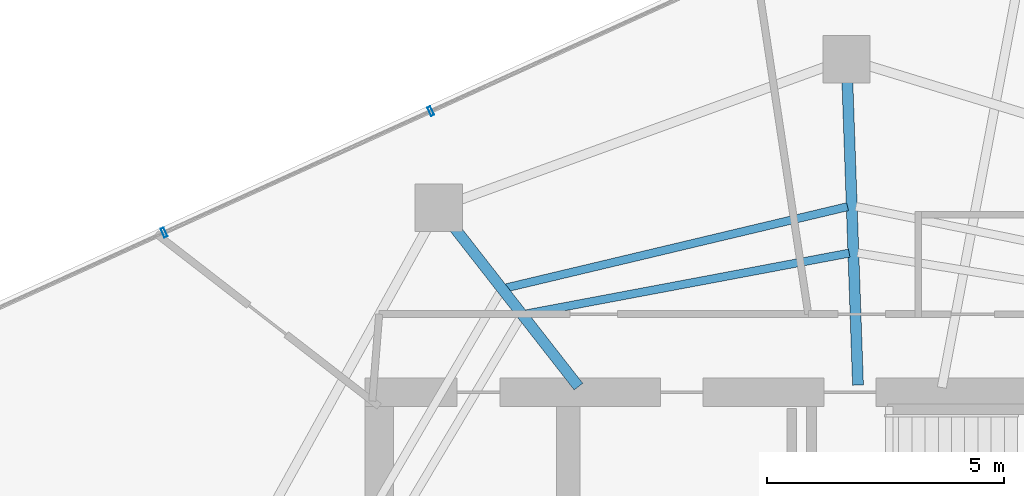
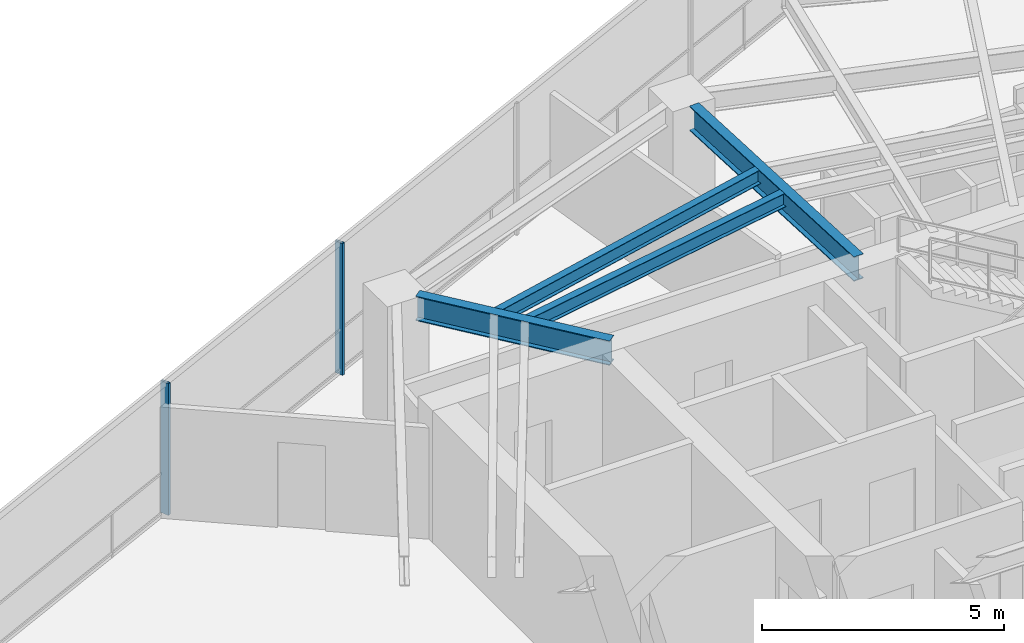
# One storey, part 12 of 21: 4 beams, 2 members, 1 element without a shape of its own.
"""IFC4 building model written with IfcOpenShell, lengths in metres."""

from ifc_helpers import new_model, si_unit, direction, frame, origin, origin_2d, place, context, subcontext, project, spatial, hollow_rectangle, i_section, extrude, material, layer, layer_set, material_profile, profile_set, type_object, element, aggregate, save


model = new_model("IFC4")

# Units and contexts
model_context = context("Model", 3, precision=1e-05, world=origin(), true_north=direction((0.0, 1.0)))
body_context = subcontext(model_context, "Body", "Model", "MODEL_VIEW")
ifc_project = project(units=[si_unit("LENGTHUNIT", "METRE"), si_unit("AREAUNIT", "SQUARE_METRE"), si_unit("VOLUMEUNIT", "CUBIC_METRE"), si_unit("PLANEANGLEUNIT", "RADIAN"), si_unit("MASSUNIT", "GRAM", prefix="KILO")], contexts=[model_context])

# Site, building, storey
site_placement = place(None, origin())
site = spatial("IfcSite", under=ifc_project, at=site_placement, CompositionType="ELEMENT")
building_placement = place(site_placement, origin())
building = spatial("IfcBuilding", under=site, at=building_placement, Name="Qarnah Convention Tower", CompositionType="ELEMENT")
storey_placement = place(building_placement, frame((0.0, 0.0, 158.10009765625)))
storey = spatial("IfcBuildingStorey", under=building, at=storey_placement, Name="L42", CompositionType="ELEMENT", Elevation=158.10009765625)

# Beams
ifc_material_1 = material(Name="Structural steel S355JR", Category="steel")
ifc_material_profile_1 = material_profile(ifc_material_1, i_section(OverallWidth=0.172119140625, OverallDepth=0.35595703125, WebThickness=0.007080078125, FlangeThickness=0.011962890625, at=origin_2d()), Name="W360X51")
ifc_profile_set_1 = profile_set([ifc_material_profile_1], Name="Structural steel S355JR")
beam_type_1 = type_object("IfcBeamType", Name="BM-JST-W360", PredefinedType="JOIST", material=ifc_profile_set_1)
beam_1_placement = place(storey_placement, frame((36.701904296875, 38.1220703125, 3.141845703125), z_axis=(-0.972859525366, -0.231396507979, 0.0), x_axis=(0.231396507979, -0.972859525366, 0.0)))
element("IfcBeam", 1, at=beam_1_placement, inside=storey, type_object=beam_type_1, Name="L42 joist BM-L42-SJST-03", PredefinedType="JOIST", context=body_context, shape_type="SweptSolid", body=[
    extrude(i_section(OverallWidth=0.172119140625, OverallDepth=0.35595703125, WebThickness=0.007080078125, FlangeThickness=0.011962890625, at=origin_2d()), origin(), (0.0, 0.0, 1.0), 7.416015625),
])
beam_2_placement = place(storey_placement, frame((36.737060546875, 37.139892578125, 3.141845703125), z_axis=(-0.982756163935, -0.18490625259, 0.0), x_axis=(0.18490625259, -0.982756163935, 0.0)))
element("IfcBeam", 2, at=beam_2_placement, inside=storey, type_object=beam_type_1, Name="L42 joist BM-L42-IJST-03", PredefinedType="JOIST", context=body_context, shape_type="SweptSolid", body=[
    extrude(i_section(OverallWidth=0.172119140625, OverallDepth=0.35595703125, WebThickness=0.007080078125, FlangeThickness=0.011962890625, at=origin_2d()), origin(), (0.0, 0.0, 1.0), 6.943603515625),
])
ifc_material_profile_2 = material_profile(ifc_material_1, i_section(OverallWidth=0.22998046875, OverallDepth=0.617919921875, WebThickness=0.012939453125, FlangeThickness=0.02197265625, at=origin_2d()), Name="W610X140")
ifc_profile_set_2 = profile_set([ifc_material_profile_2], Name="Structural steel S355JR")
beam_type_2 = type_object("IfcBeamType", Name="BM-RAD-W610A", PredefinedType="BEAM", material=ifc_profile_set_2)
beam_3_placement = place(storey_placement, frame((36.923095703125, 34.35009765625, 3.010986328125), z_axis=(-0.034938098977, 0.999389478252, 0.0), x_axis=(-0.999389478252, -0.034938098977, 0.0)))
element("IfcBeam", 3, at=beam_3_placement, inside=storey, type_object=beam_type_2, Name="L42 beam BM-L42-RAD-03", PredefinedType="BEAM", context=body_context, shape_type="SweptSolid", body=[
    extrude(i_section(OverallWidth=0.22998046875, OverallDepth=0.617919921875, WebThickness=0.012939453125, FlangeThickness=0.02197265625, at=origin_2d()), origin(), (0.0, 0.0, 1.0), 6.414794921875),
])
beam_4_placement = place(storey_placement, frame((31.013916015625, 34.318115234375, 3.010986328125), z_axis=(-0.615636368947, 0.788030368215, 0.0), x_axis=(-0.788030368215, -0.615636368947, 0.0)))
element("IfcBeam", 4, at=beam_4_placement, inside=storey, type_object=beam_type_2, Name="L42 beam BM-L42-RAD-04", PredefinedType="BEAM", context=body_context, shape_type="SweptSolid", body=[
    extrude(i_section(OverallWidth=0.22998046875, OverallDepth=0.617919921875, WebThickness=0.012939453125, FlangeThickness=0.02197265625, at=origin_2d()), origin(), (0.0, 0.0, 1.0), 4.322265625),
])

# Curtain wall, members
ifc_material_2 = material(Name="Tempered Low-E dark glass", Category="glass")
ifc_layer = layer(ifc_material_2, 0.172119140625)
ifc_layer_set = layer_set([ifc_layer], Name="Tempered Low-E dark glass")
curtain_wall_type = type_object("IfcCurtainWallType", Name="CWS-03", PredefinedType="NOTDEFINED", material=ifc_layer_set)
curtain_wall_placement = place(storey_placement, origin())
curtain_wall = element("IfcCurtainWall", 5, at=curtain_wall_placement, inside=storey, type_object=curtain_wall_type, Name="L42 unitised curtain wall CW-L42-F1", PredefinedType="NOTDEFINED")
ifc_material_3 = material(Name="Black anodised aluminium", Category="aluminium")
ifc_material_profile_3 = material_profile(ifc_material_3, hollow_rectangle(XDim=0.070068359375, YDim=0.199951171875, WallThickness=0.0048828125, at=origin_2d()), Name="MUL-70X200")
ifc_profile_set_3 = profile_set([ifc_material_profile_3], Name="Black anodised aluminium")
member_type = type_object("IfcMemberType", Name="MUL-T3", PredefinedType="MULLION", material=ifc_profile_set_3)
member_1_placement = place(storey_placement, frame((22.252197265625, 37.574951171875, 0.0), z_axis=(0.0, 0.0, 1.0), x_axis=(0.910112016723, 0.414362301636, 0.0)))
member_1 = element("IfcMember", 6, at=member_1_placement, type_object=member_type, Name="CW-L42-F1 mullion 2", PredefinedType="MULLION", context=body_context, shape_type="SweptSolid", body=[
    extrude(hollow_rectangle(XDim=0.070068359375, YDim=0.199951171875, WallThickness=0.0048828125, at=origin_2d()), origin(), (0.0, 0.0, 1.0), 3.31982421875),
])
member_2_placement = place(storey_placement, frame((27.890380859375, 40.14208984375, 0.0), z_axis=(0.0, 0.0, 1.0), x_axis=(0.910112016723, 0.414362301636, 0.0)))
member_2 = element("IfcMember", 7, at=member_2_placement, type_object=member_type, Name="CW-L42-F1 mullion 3", PredefinedType="MULLION", context=body_context, shape_type="SweptSolid", body=[
    extrude(hollow_rectangle(XDim=0.070068359375, YDim=0.199951171875, WallThickness=0.0048828125, at=origin_2d()), origin(), (0.0, 0.0, 1.0), 3.31982421875),
])
aggregate(curtain_wall, [member_1, member_2])

save(model, "model.ifc")
